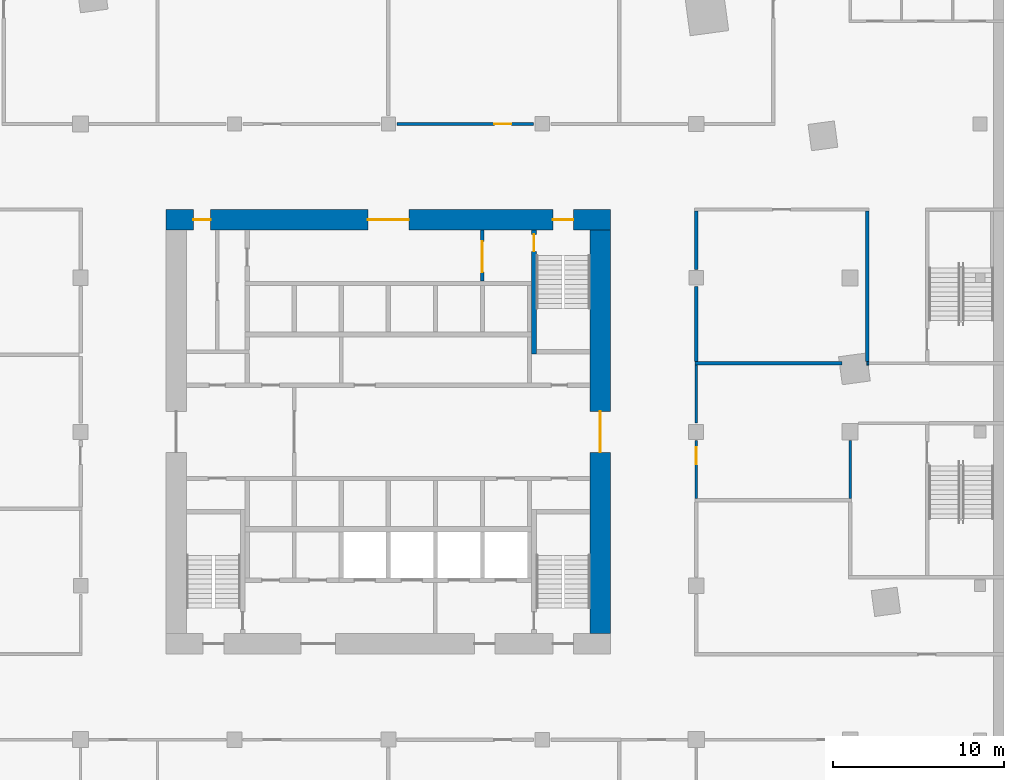
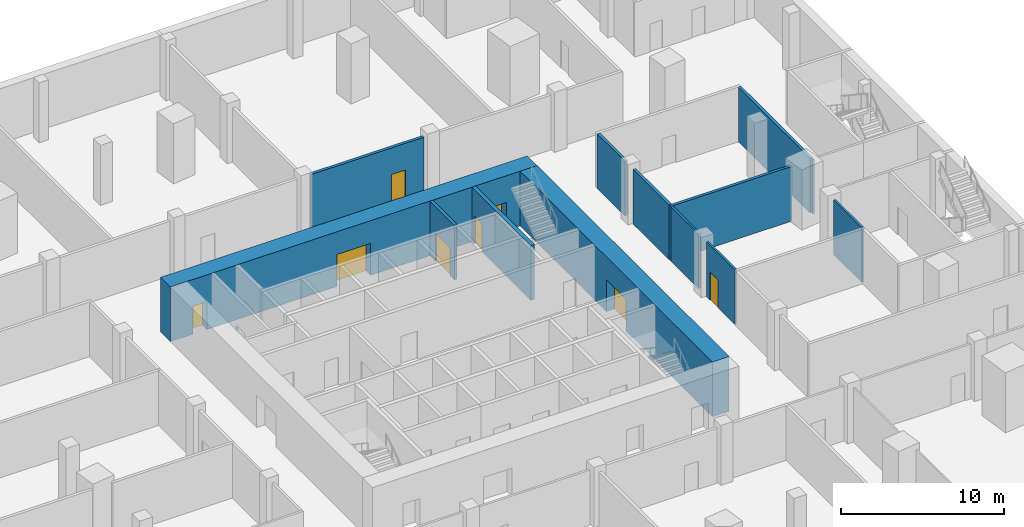
# One storey, part 5 of 11: 13 walls, 8 doors, 8 openings.
"""IFC4 building model written with IfcOpenShell, lengths in metres."""

from ifc_helpers import new_model, si_unit, direction, frame, frame_2d, origin, place, context, subcontext, project, spatial, rectangle, extrude, material, layer, layer_set, type_object, element, fill, save


model = new_model("IFC4")

# Units and contexts
model_context = context("Model", 3, precision=1e-05, world=origin(), true_north=direction((0.0, 1.0)))
body_context = subcontext(model_context, "Body", "Model", "MODEL_VIEW")
ifc_project = project(units=[si_unit("LENGTHUNIT", "METRE"), si_unit("AREAUNIT", "SQUARE_METRE"), si_unit("VOLUMEUNIT", "CUBIC_METRE"), si_unit("PLANEANGLEUNIT", "RADIAN"), si_unit("MASSUNIT", "GRAM", prefix="KILO")], contexts=[model_context])

# Site, building, storey
site_placement = place(None, origin())
site = spatial("IfcSite", under=ifc_project, at=site_placement, CompositionType="ELEMENT")
building_placement = place(site_placement, origin())
building = spatial("IfcBuilding", under=site, at=building_placement, Name="Dilmun Exchange Tower", CompositionType="ELEMENT")
storey_placement = place(building_placement, frame((0.0, 0.0, -4.5)))
storey = spatial("IfcBuildingStorey", under=building, at=storey_placement, Name="B1", CompositionType="ELEMENT", Elevation=-4.5)

# Wall, opening, door
ifc_material_1 = material(Name="Concrete C40/50", Category="concrete")
ifc_layer_1 = layer(ifc_material_1, 0.199951171875)
ifc_layer_set_1 = layer_set([ifc_layer_1], Name="Concrete C40/50")
wall_type_1 = type_object("IfcWallType", Name="Core partition wall 200", PredefinedType="PARTITIONING", material=ifc_layer_set_1)
wall_1_placement = place(storey_placement, frame((5.5, 8.804931640625, 0.0), z_axis=(0.0, 0.0, 1.0), x_axis=(0.0, 1.0, 0.0)))
wall_1 = element("IfcWall", 1, at=wall_1_placement, inside=storey, type_object=wall_type_1, Name="B1 core partition wall 17", PredefinedType="PARTITIONING", context=body_context, shape_type="SweptSolid", body=[
    extrude(rectangle(XDim=2.989990234375, YDim=0.199951171875, at=frame_2d((1.4951171875, 0.0))), origin(), (0.0, 0.0, 1.0), 4.10009765625),
])
opening_1_placement = place(wall_1_placement, frame((0.532470703125, 0.0, 0.0)))
opening_1 = element("IfcOpeningElement", 2, at=opening_1_placement, cuts=wall_1, Name="Opening CD5", PredefinedType="OPENING", context=body_context, shape_type="SweptSolid", body=[
    extrude(rectangle(XDim=1.800048828125, YDim=2.10009765625, at=frame_2d((0.89990234375, 1.050048828125))), frame((0.0, 0.10986328125, 0.0), z_axis=(0.0, -1.0, 0.0), x_axis=(1.0, 0.0, 0.0)), (0.0, 0.0, 1.0), 0.219970703125),
])
ifc_material_2 = material(Name="Fire-rated steel door set", Category="steel")
door_type_1 = type_object("IfcDoorType", Name="Stair exit door 1800x2100", OperationType="SINGLE_SWING_LEFT", PredefinedType="DOOR", material=ifc_material_2)
door_1_placement = place(opening_1_placement, origin())
door_1 = element("IfcDoor", 3, at=door_1_placement, inside=storey, type_object=door_type_1, Name="B1 door Lift lobby east", OperationType="SINGLE_SWING_LEFT", OverallHeight=2.10009765625, OverallWidth=1.800048828125, PredefinedType="DOOR", context=body_context, shape_type="SweptSolid", body=[
    extrude(rectangle(XDim=1.800048828125, YDim=2.10009765625, at=frame_2d((0.89990234375, 1.050048828125))), frame((0.0, 0.02490234375, 0.0), z_axis=(0.0, -1.0, 0.0), x_axis=(1.0, 0.0, 0.0)), (0.0, 0.0, 1.0), 0.050048828125),
])
fill(opening_1, door_1)

# Wall, openings, doors
ifc_material_3 = material(Name="Concrete C80/95", Category="concrete")
ifc_layer_2 = layer(ifc_material_3, 1.199951171875)
ifc_layer_set_2 = layer_set([ifc_layer_2], Name="Concrete C80/95")
wall_type_2 = type_object("IfcWallType", Name="Core shear wall 1200 Concrete C80/95", PredefinedType="SHEAR", material=ifc_layer_set_2)
wall_2_placement = place(storey_placement, frame((-13.0, 12.39990234375, 0.0), z_axis=(0.0, 0.0, 1.0), x_axis=(1.0, 0.0, 0.0)))
wall_2 = element("IfcWall", 4, at=wall_2_placement, inside=storey, type_object=wall_type_2, Name="B1 core shear wall N", PredefinedType="SHEAR", context=body_context, shape_type="SweptSolid", body=[
    extrude(rectangle(XDim=26.0, YDim=1.199951171875, at=frame_2d((13.0, 0.0))), origin(), (0.0, 0.0, 1.0), 4.10009765625),
])
opening_2_placement = place(wall_2_placement, frame((11.800048828125, 0.0, 0.0)))
opening_2 = element("IfcOpeningElement", 5, at=opening_2_placement, cuts=wall_2, Name="Opening CD1", PredefinedType="OPENING", context=body_context, shape_type="SweptSolid", body=[
    extrude(rectangle(XDim=2.39990234375, YDim=2.39990234375, at=frame_2d((1.199951171875, 1.199951171875))), frame((0.0, 0.60986328125, 0.0), z_axis=(0.0, -1.0, 0.0), x_axis=(1.0, 0.0, 0.0)), (0.0, 0.0, 1.0), 1.219970703125),
])
opening_3_placement = place(wall_2_placement, frame((22.625, 0.0, 0.0)))
opening_3 = element("IfcOpeningElement", 6, at=opening_3_placement, cuts=wall_2, Name="Opening CD3", PredefinedType="OPENING", context=body_context, shape_type="SweptSolid", body=[
    extrude(rectangle(XDim=1.199951171875, YDim=2.10009765625, at=frame_2d((0.60009765625, 1.050048828125))), frame((0.0, 0.60986328125, 0.0), z_axis=(0.0, -1.0, 0.0), x_axis=(1.0, 0.0, 0.0)), (0.0, 0.0, 1.0), 1.219970703125),
])
opening_4_placement = place(wall_2_placement, frame((1.60009765625, 0.0, 0.0)))
opening_4 = element("IfcOpeningElement", 7, at=opening_4_placement, cuts=wall_2, Name="Opening CD4", PredefinedType="OPENING", context=body_context, shape_type="SweptSolid", body=[
    extrude(rectangle(XDim=1.0, YDim=2.10009765625, at=frame_2d((0.5, 1.050048828125))), frame((0.0, 0.60986328125, 0.0), z_axis=(0.0, -1.0, 0.0), x_axis=(1.0, 0.0, 0.0)), (0.0, 0.0, 1.0), 1.219970703125),
])
door_type_2 = type_object("IfcDoorType", Name="Core lobby door 2400x2400", OperationType="DOUBLE_DOOR_DOUBLE_SWING", PredefinedType="DOOR", material=ifc_material_2)
door_2_placement = place(opening_2_placement, origin())
door_2 = element("IfcDoor", 8, at=door_2_placement, inside=storey, type_object=door_type_2, Name="B1 door North lift lobby", OperationType="SINGLE_SWING_LEFT", OverallHeight=2.39990234375, OverallWidth=2.39990234375, PredefinedType="DOOR", context=body_context, shape_type="SweptSolid", body=[
    extrude(rectangle(XDim=2.39990234375, YDim=2.39990234375, at=frame_2d((1.199951171875, 1.199951171875))), frame((0.0, 0.02490234375, 0.0), z_axis=(0.0, -1.0, 0.0), x_axis=(1.0, 0.0, 0.0)), (0.0, 0.0, 1.0), 0.050048828125),
])
fill(opening_2, door_2)
door_type_3 = type_object("IfcDoorType", Name="Core room door 1000x2100", OperationType="SINGLE_SWING_LEFT", PredefinedType="DOOR", material=ifc_material_2)
door_3_placement = place(opening_4_placement, origin())
door_3 = element("IfcDoor", 9, at=door_3_placement, inside=storey, type_object=door_type_3, Name="B1 door North-west core rooms", OperationType="SINGLE_SWING_LEFT", OverallHeight=2.10009765625, OverallWidth=1.0, PredefinedType="DOOR", context=body_context, shape_type="SweptSolid", body=[
    extrude(rectangle(XDim=1.0, YDim=2.10009765625, at=frame_2d((0.5, 1.050048828125))), frame((0.0, 0.02490234375, 0.0), z_axis=(0.0, -1.0, 0.0), x_axis=(1.0, 0.0, 0.0)), (0.0, 0.0, 1.0), 0.050048828125),
])
fill(opening_4, door_3)
door_type_4 = type_object("IfcDoorType", Name="Stair exit door 1200x2100", OperationType="SINGLE_SWING_LEFT", PredefinedType="DOOR", material=ifc_material_2)
door_4_placement = place(opening_3_placement, origin())
door_4 = element("IfcDoor", 10, at=door_4_placement, inside=storey, type_object=door_type_4, Name="B1 door Stair ST1", OperationType="SINGLE_SWING_LEFT", OverallHeight=2.10009765625, OverallWidth=1.199951171875, PredefinedType="DOOR", context=body_context, shape_type="SweptSolid", body=[
    extrude(rectangle(XDim=1.199951171875, YDim=2.10009765625, at=frame_2d((0.60009765625, 1.050048828125))), frame((0.0, 0.02490234375, 0.0), z_axis=(0.0, -1.0, 0.0), x_axis=(1.0, 0.0, 0.0)), (0.0, 0.0, 1.0), 0.050048828125),
])
fill(opening_3, door_4)

# Wall, opening, door
wall_3_placement = place(storey_placement, frame((12.39990234375, -11.800048828125, 0.0), z_axis=(0.0, 0.0, 1.0), x_axis=(0.0, 1.0, 0.0)))
wall_3 = element("IfcWall", 11, at=wall_3_placement, inside=storey, type_object=wall_type_2, Name="B1 core shear wall E", PredefinedType="SHEAR", context=body_context, shape_type="SweptSolid", body=[
    extrude(rectangle(XDim=23.60009765625, YDim=1.199951171875, at=frame_2d((11.800048828125, 0.0))), origin(), (0.0, 0.0, 1.0), 4.10009765625),
])
opening_5_placement = place(wall_3_placement, frame((10.60009765625, 0.0, 0.0)))
opening_5 = element("IfcOpeningElement", 12, at=opening_5_placement, cuts=wall_3, Name="Opening CD1", PredefinedType="OPENING", context=body_context, shape_type="SweptSolid", body=[
    extrude(rectangle(XDim=2.39990234375, YDim=2.39990234375, at=frame_2d((1.199951171875, 1.199951171875))), frame((0.0, 0.60986328125, 0.0), z_axis=(0.0, -1.0, 0.0), x_axis=(1.0, 0.0, 0.0)), (0.0, 0.0, 1.0), 1.219970703125),
])
door_5_placement = place(opening_5_placement, origin())
door_5 = element("IfcDoor", 13, at=door_5_placement, inside=storey, type_object=door_type_2, Name="B1 door Central lift lobby", OperationType="SINGLE_SWING_LEFT", OverallHeight=2.39990234375, OverallWidth=2.39990234375, PredefinedType="DOOR", context=body_context, shape_type="SweptSolid", body=[
    extrude(rectangle(XDim=2.39990234375, YDim=2.39990234375, at=frame_2d((1.199951171875, 1.199951171875))), frame((0.0, 0.02490234375, 0.0), z_axis=(0.0, -1.0, 0.0), x_axis=(1.0, 0.0, 0.0)), (0.0, 0.0, 1.0), 0.050048828125),
])
fill(opening_5, door_5)

ifc_material_4 = material(Name="Fire partition EI 60 150 gypsum")
ifc_layer_3 = layer(ifc_material_4, 0.14990234375)
ifc_layer_set_3 = layer_set([ifc_layer_3], Name="Fire partition EI 60 150 gypsum")
wall_type_3 = type_object("IfcWallType", Name="Fire partition EI 60 150 gypsum", PredefinedType="PARTITIONING", material=ifc_layer_set_3)
wall_4_placement = place(storey_placement, frame((18.0, -3.89990234375, 0.0), z_axis=(0.0, 0.0, 1.0), x_axis=(0.0, 1.0, 0.0)))
wall_4 = element("IfcWall", 14, at=wall_4_placement, inside=storey, type_object=wall_type_3, Name="B1 partition", PredefinedType="PARTITIONING", context=body_context, shape_type="SweptSolid", body=[
    extrude(rectangle(XDim=3.39990234375, YDim=0.14990234375, at=frame_2d((1.699951171875, 0.0))), origin(), (0.0, 0.0, 1.0), 4.10009765625),
])
opening_6_placement = place(wall_4_placement, frame((2.0, 0.0, 0.0)))
opening_6 = element("IfcOpeningElement", 15, at=opening_6_placement, cuts=wall_4, Name="Opening B1-D021", PredefinedType="OPENING", context=body_context, shape_type="SweptSolid", body=[
    extrude(rectangle(XDim=1.0, YDim=2.10009765625, at=frame_2d((0.5, 1.050048828125))), frame((0.0, 0.0849609375, 0.0), z_axis=(0.0, -1.0, 0.0), x_axis=(1.0, 0.0, 0.0)), (0.0, 0.0, 1.0), 0.169921875),
])
ifc_material_5 = material(Name="Fire door FD60 1000 x 2100")
door_type_5 = type_object("IfcDoorType", Name="Fire door FD60 1000 x 2100", OperationType="SINGLE_SWING_LEFT", PredefinedType="DOOR", material=ifc_material_5)
door_6_placement = place(opening_6_placement, origin())
door_6 = element("IfcDoor", 16, at=door_6_placement, inside=storey, type_object=door_type_5, Name="B1 door B1-D021", OperationType="SINGLE_SWING_LEFT", OverallHeight=2.10009765625, OverallWidth=1.0, PredefinedType="DOOR", context=body_context, shape_type="SweptSolid", body=[
    extrude(rectangle(XDim=1.0, YDim=2.10009765625, at=frame_2d((0.5, 1.050048828125))), frame((0.0, 0.02490234375, 0.0), z_axis=(0.0, -1.0, 0.0), x_axis=(1.0, 0.0, 0.0)), (0.0, 0.0, 1.0), 0.050048828125),
])
fill(opening_6, door_6)

# Walls
for number, where, z_axis, x_axis, name in (
    (17, (18.0, 0.5, 0.0), (0.0, 0.0, 1.0), (0.0, 1.0, 0.0), "B1 partition"),
    (18, (27.0, -3.89990234375, 0.0), (0.0, 0.0, 1.0), (0.0, 1.0, 0.0), "B1 partition"),
):
    element("IfcWall", number, at=place(storey_placement, frame(where, z_axis=z_axis, x_axis=x_axis)), inside=storey, type_object=wall_type_3, Name=name, PredefinedType="PARTITIONING", context=body_context, shape_type="SweptSolid", body=[
        extrude(rectangle(XDim=3.39990234375, YDim=0.14990234375, at=frame_2d((1.699951171875, 0.0))), origin(), (0.0, 0.0, 1.0), 4.10009765625),
    ])
ifc_material_6 = material(Name="Fire wall EI 120 200 blockwork", Category="masonry")
ifc_layer_4 = layer(ifc_material_6, 0.199951171875)
ifc_layer_set_4 = layer_set([ifc_layer_4], Name="Fire wall EI 120 200 blockwork")
wall_type_4 = type_object("IfcWallType", Name="Fire wall EI 120 200 blockwork", PredefinedType="PARTITIONING", material=ifc_layer_set_4)
wall_5_placement = place(storey_placement, frame((17.925048828125, 4.0, 0.0), z_axis=(0.0, 0.0, 1.0), x_axis=(1.0, 0.0, 0.0)))
element("IfcWall", 19, at=wall_5_placement, inside=storey, type_object=wall_type_4, Name="B1 partition", PredefinedType="PARTITIONING", context=body_context, shape_type="SweptSolid", body=[
    extrude(rectangle(XDim=8.5966796875, YDim=0.199951171875, at=frame_2d((4.29833984375, 0.0))), origin(), (0.0, 0.0, 1.0), 4.10009765625),
])
wall_6_placement = place(storey_placement, frame((27.984130859375, 4.0, 0.0), z_axis=(0.0, 0.0, 1.0), x_axis=(1.0, 0.0, 0.0)))
element("IfcWall", 20, at=wall_6_placement, inside=storey, type_object=wall_type_4, Name="B1 partition", PredefinedType="PARTITIONING", context=body_context, shape_type="SweptSolid", body=[
    extrude(rectangle(XDim=0.115966796875, YDim=0.199951171875, at=frame_2d((0.05810546875, 0.0))), origin(), (0.0, 0.0, 1.0), 4.10009765625),
])

# Wall, opening, door
wall_7_placement = place(storey_placement, frame((0.5, 18.0, 0.0), z_axis=(0.0, 0.0, 1.0), x_axis=(1.0, 0.0, 0.0)))
wall_7 = element("IfcWall", 21, at=wall_7_placement, inside=storey, type_object=wall_type_4, Name="B1 partition", PredefinedType="PARTITIONING", context=body_context, shape_type="SweptSolid", body=[
    extrude(rectangle(XDim=8.0, YDim=0.199951171875, at=frame_2d((4.0, 0.0))), origin(), (0.0, 0.0, 1.0), 4.10009765625),
])
opening_7_placement = place(wall_7_placement, frame((5.699951171875, 0.0, 0.0)))
opening_7 = element("IfcOpeningElement", 22, at=opening_7_placement, cuts=wall_7, Name="Opening B1-D010", PredefinedType="OPENING", context=body_context, shape_type="SweptSolid", body=[
    extrude(rectangle(XDim=1.0, YDim=2.10009765625, at=frame_2d((0.5, 1.050048828125))), frame((0.0, 0.10986328125, 0.0), z_axis=(0.0, -1.0, 0.0), x_axis=(1.0, 0.0, 0.0)), (0.0, 0.0, 1.0), 0.219970703125),
])
door_7_placement = place(opening_7_placement, origin())
door_7 = element("IfcDoor", 23, at=door_7_placement, inside=storey, type_object=door_type_5, Name="B1 door B1-D010", OperationType="SINGLE_SWING_RIGHT", OverallHeight=2.10009765625, OverallWidth=1.0, PredefinedType="DOOR", context=body_context, shape_type="SweptSolid", body=[
    extrude(rectangle(XDim=1.0, YDim=2.10009765625, at=frame_2d((0.5, 1.050048828125))), frame((0.0, 0.02490234375, 0.0), z_axis=(0.0, -1.0, 0.0), x_axis=(1.0, 0.0, 0.0)), (0.0, 0.0, 1.0), 0.050048828125),
])
fill(opening_7, door_7)

# Walls
wall_8_placement = place(storey_placement, frame((18.0, 4.10009765625, 0.0), z_axis=(0.0, 0.0, 1.0), x_axis=(0.0, 1.0, 0.0)))
element("IfcWall", 24, at=wall_8_placement, inside=storey, type_object=wall_type_4, Name="B1 partition", PredefinedType="PARTITIONING", context=body_context, shape_type="SweptSolid", body=[
    extrude(rectangle(XDim=4.39990234375, YDim=0.199951171875, at=frame_2d((2.199951171875, 0.0))), origin(), (0.0, 0.0, 1.0), 4.10009765625),
])
wall_9_placement = place(storey_placement, frame((18.0, 9.5, 0.0), z_axis=(0.0, 0.0, 1.0), x_axis=(0.0, 1.0, 0.0)))
element("IfcWall", 25, at=wall_9_placement, inside=storey, type_object=wall_type_4, Name="B1 partition", PredefinedType="PARTITIONING", context=body_context, shape_type="SweptSolid", body=[
    extrude(rectangle(XDim=3.39990234375, YDim=0.199951171875, at=frame_2d((1.699951171875, 0.0))), origin(), (0.0, 0.0, 1.0), 4.10009765625),
])
wall_10_placement = place(storey_placement, frame((28.0, 4.10009765625, 0.0), z_axis=(0.0, 0.0, 1.0), x_axis=(0.0, 1.0, 0.0)))
element("IfcWall", 26, at=wall_10_placement, inside=storey, type_object=wall_type_4, Name="B1 partition", PredefinedType="PARTITIONING", context=body_context, shape_type="SweptSolid", body=[
    extrude(rectangle(XDim=8.7998046875, YDim=0.199951171875, at=frame_2d((4.39990234375, 0.0))), origin(), (0.0, 0.0, 1.0), 4.10009765625),
])

# Wall, opening, door
ifc_layer_5 = layer(ifc_material_1, 0.27490234375)
ifc_layer_set_5 = layer_set([ifc_layer_5], Name="Concrete C40/50")
wall_type_5 = type_object("IfcWallType", Name="Stair wall 275", PredefinedType="SOLIDWALL", material=ifc_layer_set_5)
wall_11_placement = place(storey_placement, frame((8.512451171875, 4.550048828125, 0.0), z_axis=(0.0, 0.0, 1.0), x_axis=(0.0, 1.0, 0.0)))
wall_11 = element("IfcWall", 27, at=wall_11_placement, inside=storey, type_object=wall_type_5, Name="B1 ST1 wall to lift block", PredefinedType="SOLIDWALL", context=body_context, shape_type="SweptSolid", body=[
    extrude(rectangle(XDim=7.25, YDim=0.27490234375, at=frame_2d((3.625, 0.0))), origin(), (0.0, 0.0, 1.0), 4.10009765625),
])
opening_8_placement = place(wall_11_placement, frame((6.0, 0.0, 0.0)))
opening_8 = element("IfcOpeningElement", 28, at=opening_8_placement, cuts=wall_11, Name="Opening CD4", PredefinedType="OPENING", context=body_context, shape_type="SweptSolid", body=[
    extrude(rectangle(XDim=1.0, YDim=2.10009765625, at=frame_2d((0.5, 1.050048828125))), frame((0.0, 0.1474609375, 0.0), z_axis=(0.0, -1.0, 0.0), x_axis=(1.0, 0.0, 0.0)), (0.0, 0.0, 1.0), 0.294921875),
])
door_8_placement = place(opening_8_placement, origin())
door_8 = element("IfcDoor", 29, at=door_8_placement, inside=storey, type_object=door_type_3, Name="B1 door ST1 from lobby", OperationType="SINGLE_SWING_LEFT", OverallHeight=2.10009765625, OverallWidth=1.0, PredefinedType="DOOR", context=body_context, shape_type="SweptSolid", body=[
    extrude(rectangle(XDim=1.0, YDim=2.10009765625, at=frame_2d((0.5, 1.050048828125))), frame((0.0, 0.02490234375, 0.0), z_axis=(0.0, -1.0, 0.0), x_axis=(1.0, 0.0, 0.0)), (0.0, 0.0, 1.0), 0.050048828125),
])
fill(opening_8, door_8)

save(model, "model.ifc")
